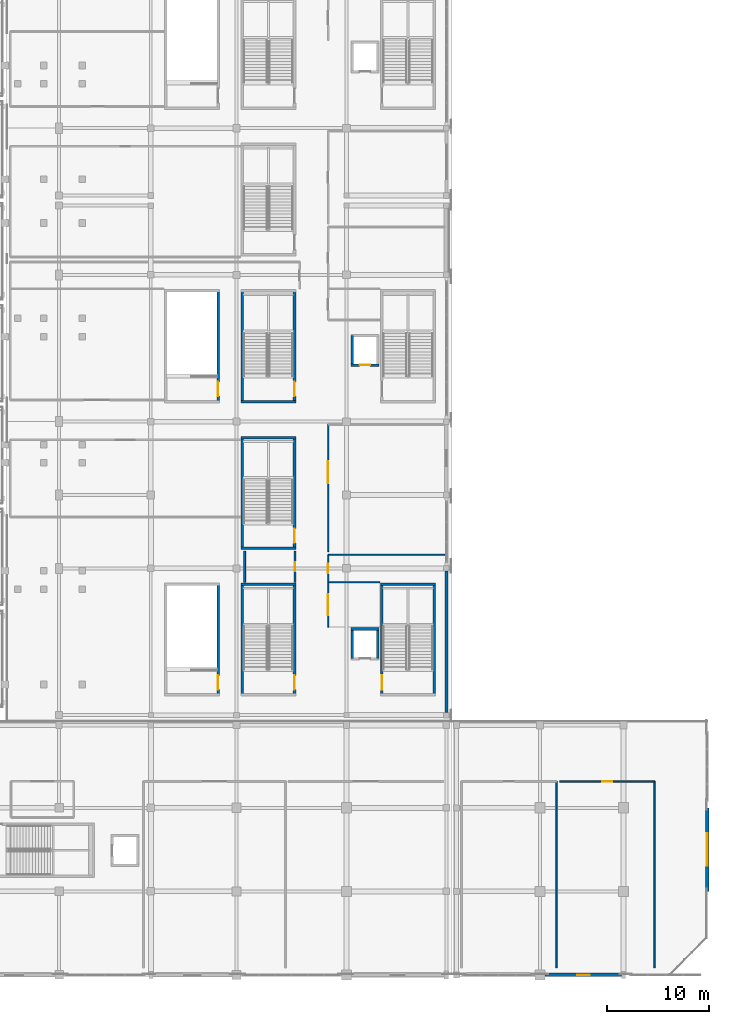
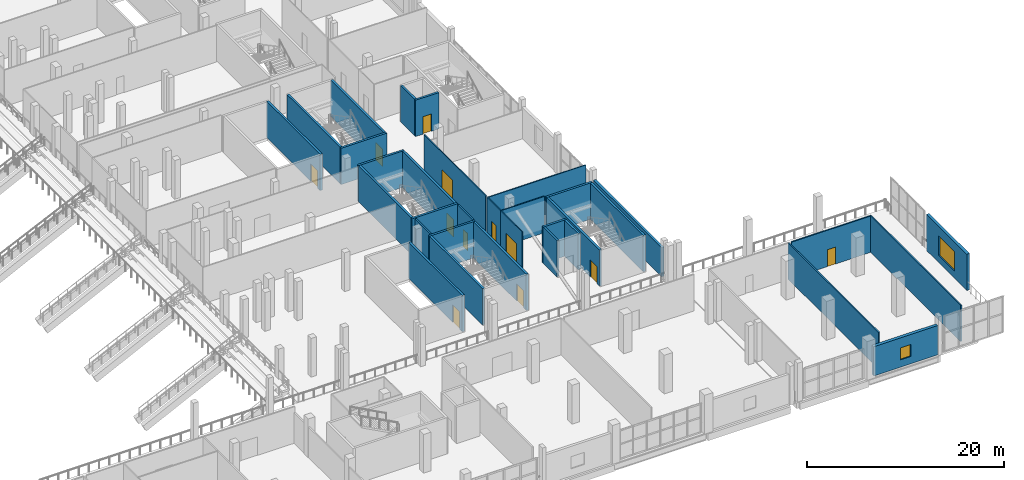
# One storey, part 80 of 129: 33 walls, 12 doors, 2 windows, 14 openings.
"""IFC4 building model written with IfcOpenShell, lengths in metres."""

from ifc_helpers import new_model, si_unit, direction, frame, frame_2d, origin, place, context, subcontext, project, spatial, rectangle, extrude, material, layer, layer_set, type_object, element, fill, save


model = new_model("IFC4")

# Units and contexts
model_context = context("Model", 3, precision=1e-05, world=origin(), true_north=direction((0.0, 1.0)))
body_context = subcontext(model_context, "Body", "Model", "MODEL_VIEW")
ifc_project = project(units=[si_unit("LENGTHUNIT", "METRE"), si_unit("AREAUNIT", "SQUARE_METRE"), si_unit("VOLUMEUNIT", "CUBIC_METRE"), si_unit("PLANEANGLEUNIT", "RADIAN"), si_unit("MASSUNIT", "GRAM", prefix="KILO")], contexts=[model_context])

# Site, building, storey
site_placement = place(None, origin())
site = spatial("IfcSite", under=ifc_project, at=site_placement, CompositionType="ELEMENT")
building_placement = place(site_placement, origin())
building = spatial("IfcBuilding", under=site, at=building_placement, Name="Koshinbarg Plaza Stadium", CompositionType="ELEMENT")
storey_placement = place(building_placement, frame((0.0, 0.0, 5.39990234375)))
storey = spatial("IfcBuildingStorey", under=building, at=storey_placement, Name="L01", CompositionType="ELEMENT", Elevation=5.39990234375)

# Wall
ifc_material_1 = material(Name="Concrete C40/50", Category="concrete")
ifc_layer_1 = layer(ifc_material_1, 0.25)
ifc_layer_set_1 = layer_set([ifc_layer_1], Name="Concrete C40/50")
wall_type_1 = type_object("IfcWallType", Name="WL-CORE-250", PredefinedType="SHEAR", material=ifc_layer_set_1)
wall_1_placement = place(storey_placement, frame((217.320068359375, 38.324951171875, 0.0), z_axis=(0.0, 0.0, 1.0), x_axis=(-1.0, 0.0, 0.0)))
element("IfcWall", 1, at=wall_1_placement, inside=storey, type_object=wall_type_1, Name="L01 core stair shear wall C07-far IWL-L01-0167", PredefinedType="SHEAR", context=body_context, shape_type="SweptSolid", body=[
    extrude(rectangle(XDim=5.3701171875, YDim=0.25, at=frame_2d((2.68505859375, 0.0))), origin(), (0.0, 0.0, 1.0), 4.5),
])

# Wall, opening, door
wall_2_placement = place(storey_placement, frame((212.074951171875, 27.47509765625, 0.0), z_axis=(0.0, 0.0, 1.0), x_axis=(0.0, 1.0, 0.0)))
wall_2 = element("IfcWall", 2, at=wall_2_placement, inside=storey, type_object=wall_type_1, Name="L01 core stair shear wall C07-left IWL-L01-0168", PredefinedType="SHEAR", context=body_context, shape_type="SweptSolid", body=[
    extrude(rectangle(XDim=10.849853515625, YDim=0.25, at=frame_2d((5.4248046875, 0.0))), origin(), (0.0, 0.0, 1.0), 4.5),
])
opening_1_placement = place(wall_2_placement, frame((0.52001953125, 0.0, 0.0)))
opening_1 = element("IfcOpeningElement", 3, at=opening_1_placement, cuts=wall_2, Name="Opening D-0104", PredefinedType="OPENING", context=body_context, shape_type="SweptSolid", body=[
    extrude(rectangle(XDim=1.39990234375, YDim=2.14990234375, at=frame_2d((0.699951171875, 1.074951171875))), frame((0.0, 0.135009765625, 0.0), z_axis=(0.0, -1.0, 0.0), x_axis=(1.0, 0.0, 0.0)), (0.0, 0.0, 1.0), 0.27001953125),
])
ifc_material_2 = material(Name="Painted galvanized steel fire door", Category="steel")
door_type_1 = type_object("IfcDoorType", Name="DR-STAIR-1400", OperationType="NOTDEFINED", PredefinedType="DOOR", material=ifc_material_2)
door_1_placement = place(opening_1_placement, frame((1.39990234375, 0.0, 0.0), z_axis=(0.0, 0.0, 1.0), x_axis=(-1.0, 0.0, 0.0)))
door_1 = element("IfcDoor", 4, at=door_1_placement, inside=storey, type_object=door_type_1, Name="L01 exit stair door C07", OperationType="SINGLE_SWING_LEFT", OverallHeight=2.14990234375, OverallWidth=1.39990234375, PredefinedType="DOOR", context=body_context, shape_type="SweptSolid", body=[
    extrude(rectangle(XDim=1.39990234375, YDim=2.14990234375, at=frame_2d((0.699951171875, 1.074951171875))), frame((0.0, 0.02490234375, 0.0), z_axis=(0.0, -1.0, 0.0), x_axis=(1.0, 0.0, 0.0)), (0.0, 0.0, 1.0), 0.050048828125),
])
fill(opening_1, door_1)

# Walls
wall_3_placement = place(storey_placement, frame((217.195068359375, 27.47509765625, 0.0), z_axis=(0.0, 0.0, 1.0), x_axis=(0.0, 1.0, 0.0)))
element("IfcWall", 5, at=wall_3_placement, inside=storey, type_object=wall_type_1, Name="L01 core stair shear wall C07-right IWL-L01-0169", PredefinedType="SHEAR", context=body_context, shape_type="SweptSolid", body=[
    extrude(rectangle(XDim=10.849853515625, YDim=0.25, at=frame_2d((5.4248046875, 0.0))), origin(), (0.0, 0.0, 1.0), 4.5),
])
wall_4_placement = place(storey_placement, frame((203.6201171875, 38.324951171875, 0.0), z_axis=(0.0, 0.0, 1.0), x_axis=(-1.0, 0.0, 0.0)))
element("IfcWall", 6, at=wall_4_placement, inside=storey, type_object=wall_type_1, Name="L01 vomitory stair shear wall VX07-far IWL-L01-0455", PredefinedType="SHEAR", context=body_context, shape_type="SweptSolid", body=[
    extrude(rectangle(XDim=5.3701171875, YDim=0.25, at=frame_2d((2.68505859375, 0.0))), origin(), (0.0, 0.0, 1.0), 4.5),
])
wall_5_placement = place(storey_placement, frame((198.375, 27.47509765625, 0.0), z_axis=(0.0, 0.0, 1.0), x_axis=(0.0, 1.0, 0.0)))
element("IfcWall", 7, at=wall_5_placement, inside=storey, type_object=wall_type_1, Name="L01 vomitory stair shear wall VX07-left IWL-L01-0456", PredefinedType="SHEAR", context=body_context, shape_type="SweptSolid", body=[
    extrude(rectangle(XDim=10.849853515625, YDim=0.25, at=frame_2d((5.4248046875, 0.0))), origin(), (0.0, 0.0, 1.0), 4.5),
])

# Wall, opening, door
wall_6_placement = place(storey_placement, frame((203.4951171875, 27.47509765625, 0.0), z_axis=(0.0, 0.0, 1.0), x_axis=(0.0, 1.0, 0.0)))
wall_6 = element("IfcWall", 8, at=wall_6_placement, inside=storey, type_object=wall_type_1, Name="L01 vomitory stair shear wall VX07-right IWL-L01-0457", PredefinedType="SHEAR", context=body_context, shape_type="SweptSolid", body=[
    extrude(rectangle(XDim=10.849853515625, YDim=0.25, at=frame_2d((5.4248046875, 0.0))), origin(), (0.0, 0.0, 1.0), 4.5),
])
opening_2_placement = place(wall_6_placement, frame((0.52001953125, 0.0, 0.0)))
opening_2 = element("IfcOpeningElement", 9, at=opening_2_placement, cuts=wall_6, Name="Opening D-0176", PredefinedType="OPENING", context=body_context, shape_type="SweptSolid", body=[
    extrude(rectangle(XDim=1.39990234375, YDim=2.14990234375, at=frame_2d((0.699951171875, 1.074951171875))), frame((0.0, 0.135009765625, 0.0), z_axis=(0.0, -1.0, 0.0), x_axis=(1.0, 0.0, 0.0)), (0.0, 0.0, 1.0), 0.27001953125),
])
door_2_placement = place(opening_2_placement, origin())
door_2 = element("IfcDoor", 10, at=door_2_placement, inside=storey, type_object=door_type_1, Name="L01 vomitory exit stair door VX07", OperationType="SINGLE_SWING_LEFT", OverallHeight=2.14990234375, OverallWidth=1.39990234375, PredefinedType="DOOR", context=body_context, shape_type="SweptSolid", body=[
    extrude(rectangle(XDim=1.39990234375, YDim=2.14990234375, at=frame_2d((0.699951171875, 1.074951171875))), frame((0.0, 0.02490234375, 0.0), z_axis=(0.0, -1.0, 0.0), x_axis=(1.0, 0.0, 0.0)), (0.0, 0.0, 1.0), 0.050048828125),
])
fill(opening_2, door_2)

# Walls
for number, where, z_axis, x_axis, name in (
    (11, (198.25, 41.875, 0.0), (0.0, 0.0, 1.0), (1.0, 0.0, 0.0), "L01 vomitory stair shear wall VX08-near IWL-L01-0470"),
    (12, (203.6201171875, 52.72509765625, 0.0), (0.0, 0.0, 1.0), (-1.0, 0.0, 0.0), "L01 vomitory stair shear wall VX08-far IWL-L01-0471"),
):
    element("IfcWall", number, at=place(storey_placement, frame(where, z_axis=z_axis, x_axis=x_axis)), inside=storey, type_object=wall_type_1, Name=name, PredefinedType="SHEAR", context=body_context, shape_type="SweptSolid", body=[
        extrude(rectangle(XDim=5.3701171875, YDim=0.25, at=frame_2d((2.68505859375, 0.0))), origin(), (0.0, 0.0, 1.0), 4.5),
    ])
wall_7_placement = place(storey_placement, frame((198.375, 41.875, 0.0), z_axis=(0.0, 0.0, 1.0), x_axis=(0.0, 1.0, 0.0)))
element("IfcWall", 13, at=wall_7_placement, inside=storey, type_object=wall_type_1, Name="L01 vomitory stair shear wall VX08-left IWL-L01-0472", PredefinedType="SHEAR", context=body_context, shape_type="SweptSolid", body=[
    extrude(rectangle(XDim=10.85009765625, YDim=0.25, at=frame_2d((5.425048828125, 0.0))), origin(), (0.0, 0.0, 1.0), 4.5),
])

# Wall, opening, door
wall_8_placement = place(storey_placement, frame((203.4951171875, 41.875, 0.0), z_axis=(0.0, 0.0, 1.0), x_axis=(0.0, 1.0, 0.0)))
wall_8 = element("IfcWall", 14, at=wall_8_placement, inside=storey, type_object=wall_type_1, Name="L01 vomitory stair shear wall VX08-right IWL-L01-0473", PredefinedType="SHEAR", context=body_context, shape_type="SweptSolid", body=[
    extrude(rectangle(XDim=10.85009765625, YDim=0.25, at=frame_2d((5.425048828125, 0.0))), origin(), (0.0, 0.0, 1.0), 4.5),
])
opening_3_placement = place(wall_8_placement, frame((0.52001953125, 0.0, 0.0)))
opening_3 = element("IfcOpeningElement", 15, at=opening_3_placement, cuts=wall_8, Name="Opening D-0180", PredefinedType="OPENING", context=body_context, shape_type="SweptSolid", body=[
    extrude(rectangle(XDim=1.39990234375, YDim=2.14990234375, at=frame_2d((0.699951171875, 1.074951171875))), frame((0.0, 0.135009765625, 0.0), z_axis=(0.0, -1.0, 0.0), x_axis=(1.0, 0.0, 0.0)), (0.0, 0.0, 1.0), 0.27001953125),
])
door_3_placement = place(opening_3_placement, origin())
door_3 = element("IfcDoor", 16, at=door_3_placement, inside=storey, type_object=door_type_1, Name="L01 vomitory exit stair door VX08", OperationType="SINGLE_SWING_RIGHT", OverallHeight=2.14990234375, OverallWidth=1.39990234375, PredefinedType="DOOR", context=body_context, shape_type="SweptSolid", body=[
    extrude(rectangle(XDim=1.39990234375, YDim=2.14990234375, at=frame_2d((0.699951171875, 1.074951171875))), frame((0.0, 0.02490234375, 0.0), z_axis=(0.0, -1.0, 0.0), x_axis=(1.0, 0.0, 0.0)), (0.0, 0.0, 1.0), 0.050048828125),
])
fill(opening_3, door_3)

# Walls
wall_9_placement = place(storey_placement, frame((198.25, 56.27490234375, 0.0), z_axis=(0.0, 0.0, 1.0), x_axis=(1.0, 0.0, 0.0)))
element("IfcWall", 17, at=wall_9_placement, inside=storey, type_object=wall_type_1, Name="L01 vomitory stair shear wall VX09-near IWL-L01-0486", PredefinedType="SHEAR", context=body_context, shape_type="SweptSolid", body=[
    extrude(rectangle(XDim=5.3701171875, YDim=0.25, at=frame_2d((2.68505859375, 0.0))), origin(), (0.0, 0.0, 1.0), 4.5),
])
wall_10_placement = place(storey_placement, frame((198.375, 56.27490234375, 0.0), z_axis=(0.0, 0.0, 1.0), x_axis=(0.0, 1.0, 0.0)))
element("IfcWall", 18, at=wall_10_placement, inside=storey, type_object=wall_type_1, Name="L01 vomitory stair shear wall VX09-left IWL-L01-0488", PredefinedType="SHEAR", context=body_context, shape_type="SweptSolid", body=[
    extrude(rectangle(XDim=10.85009765625, YDim=0.25, at=frame_2d((5.425048828125, 0.0))), origin(), (0.0, 0.0, 1.0), 4.5),
])

# Wall, opening, door
wall_11_placement = place(storey_placement, frame((203.4951171875, 56.27490234375, 0.0), z_axis=(0.0, 0.0, 1.0), x_axis=(0.0, 1.0, 0.0)))
wall_11 = element("IfcWall", 19, at=wall_11_placement, inside=storey, type_object=wall_type_1, Name="L01 vomitory stair shear wall VX09-right IWL-L01-0489", PredefinedType="SHEAR", context=body_context, shape_type="SweptSolid", body=[
    extrude(rectangle(XDim=10.85009765625, YDim=0.25, at=frame_2d((5.425048828125, 0.0))), origin(), (0.0, 0.0, 1.0), 4.5),
])
opening_4_placement = place(wall_11_placement, frame((0.52001953125, 0.0, 0.0)))
opening_4 = element("IfcOpeningElement", 20, at=opening_4_placement, cuts=wall_11, Name="Opening D-0184", PredefinedType="OPENING", context=body_context, shape_type="SweptSolid", body=[
    extrude(rectangle(XDim=1.39990234375, YDim=2.14990234375, at=frame_2d((0.699951171875, 1.074951171875))), frame((0.0, 0.135009765625, 0.0), z_axis=(0.0, -1.0, 0.0), x_axis=(1.0, 0.0, 0.0)), (0.0, 0.0, 1.0), 0.27001953125),
])
door_4_placement = place(opening_4_placement, origin())
door_4 = element("IfcDoor", 21, at=door_4_placement, inside=storey, type_object=door_type_1, Name="L01 vomitory exit stair door VX09", OperationType="SINGLE_SWING_LEFT", OverallHeight=2.14990234375, OverallWidth=1.39990234375, PredefinedType="DOOR", context=body_context, shape_type="SweptSolid", body=[
    extrude(rectangle(XDim=1.39990234375, YDim=2.14990234375, at=frame_2d((0.699951171875, 1.074951171875))), frame((0.0, 0.02490234375, 0.0), z_axis=(0.0, -1.0, 0.0), x_axis=(1.0, 0.0, 0.0)), (0.0, 0.0, 1.0), 0.050048828125),
])
fill(opening_4, door_4)

wall_12_placement = place(storey_placement, frame((195.9951171875, 27.47509765625, 0.0), z_axis=(0.0, 0.0, 1.0), x_axis=(0.0, 1.0, 0.0)))
wall_12 = element("IfcWall", 22, at=wall_12_placement, inside=storey, type_object=wall_type_1, Name="L01 vomitory stair shear wall VL05-right IWL-L01-0585", PredefinedType="SHEAR", context=body_context, shape_type="SweptSolid", body=[
    extrude(rectangle(XDim=10.849853515625, YDim=0.25, at=frame_2d((5.4248046875, 0.0))), origin(), (0.0, 0.0, 1.0), 4.5),
])
opening_5_placement = place(wall_12_placement, frame((0.52001953125, 0.0, 0.0)))
opening_5 = element("IfcOpeningElement", 23, at=opening_5_placement, cuts=wall_12, Name="Opening D-0208", PredefinedType="OPENING", context=body_context, shape_type="SweptSolid", body=[
    extrude(rectangle(XDim=1.39990234375, YDim=2.14990234375, at=frame_2d((0.699951171875, 1.074951171875))), frame((0.0, 0.135009765625, 0.0), z_axis=(0.0, -1.0, 0.0), x_axis=(1.0, 0.0, 0.0)), (0.0, 0.0, 1.0), 0.27001953125),
])
door_5_placement = place(opening_5_placement, origin())
door_5 = element("IfcDoor", 24, at=door_5_placement, inside=storey, type_object=door_type_1, Name="L01 vomitory exit stair door VL05", OperationType="SINGLE_SWING_LEFT", OverallHeight=2.14990234375, OverallWidth=1.39990234375, PredefinedType="DOOR", context=body_context, shape_type="SweptSolid", body=[
    extrude(rectangle(XDim=1.39990234375, YDim=2.14990234375, at=frame_2d((0.699951171875, 1.074951171875))), frame((0.0, 0.02490234375, 0.0), z_axis=(0.0, -1.0, 0.0), x_axis=(1.0, 0.0, 0.0)), (0.0, 0.0, 1.0), 0.050048828125),
])
fill(opening_5, door_5)

wall_13_placement = place(storey_placement, frame((195.9951171875, 56.27490234375, 0.0), z_axis=(0.0, 0.0, 1.0), x_axis=(0.0, 1.0, 0.0)))
wall_13 = element("IfcWall", 25, at=wall_13_placement, inside=storey, type_object=wall_type_1, Name="L01 vomitory stair shear wall VL06-right IWL-L01-0593", PredefinedType="SHEAR", context=body_context, shape_type="SweptSolid", body=[
    extrude(rectangle(XDim=10.85009765625, YDim=0.25, at=frame_2d((5.425048828125, 0.0))), origin(), (0.0, 0.0, 1.0), 4.5),
])
opening_6_placement = place(wall_13_placement, frame((0.52001953125, 0.0, 0.0)))
opening_6 = element("IfcOpeningElement", 26, at=opening_6_placement, cuts=wall_13, Name="Opening D-0210", PredefinedType="OPENING", context=body_context, shape_type="SweptSolid", body=[
    extrude(rectangle(XDim=1.39990234375, YDim=2.14990234375, at=frame_2d((0.699951171875, 1.074951171875))), frame((0.0, 0.135009765625, 0.0), z_axis=(0.0, -1.0, 0.0), x_axis=(1.0, 0.0, 0.0)), (0.0, 0.0, 1.0), 0.27001953125),
])
door_6_placement = place(opening_6_placement, origin())
door_6 = element("IfcDoor", 27, at=door_6_placement, inside=storey, type_object=door_type_1, Name="L01 vomitory exit stair door VL06", OperationType="SINGLE_SWING_RIGHT", OverallHeight=2.14990234375, OverallWidth=1.39990234375, PredefinedType="DOOR", context=body_context, shape_type="SweptSolid", body=[
    extrude(rectangle(XDim=1.39990234375, YDim=2.14990234375, at=frame_2d((0.699951171875, 1.074951171875))), frame((0.0, 0.02490234375, 0.0), z_axis=(0.0, -1.0, 0.0), x_axis=(1.0, 0.0, 0.0)), (0.0, 0.0, 1.0), 0.050048828125),
])
fill(opening_6, door_6)

# Walls
wall_14_placement = place(storey_placement, frame((211.77490234375, 33.949951171875, 0.0), z_axis=(0.0, 0.0, 1.0), x_axis=(-1.0, 0.0, 0.0)))
element("IfcWall", 28, at=wall_14_placement, inside=storey, type_object=wall_type_1, Name="L01 lift shaft shear wall LP03-N IWL-L01-0867", PredefinedType="SHEAR", context=body_context, shape_type="SweptSolid", body=[
    extrude(rectangle(XDim=2.75, YDim=0.25, at=frame_2d((1.375, 0.0))), origin(), (0.0, 0.0, 1.0), 4.5),
])
for number, where, z_axis, x_axis, name in (
    (29, (209.14990234375, 33.949951171875, 0.0), (0.0, 0.0, 1.0), (0.0, -1.0, 0.0), "L01 lift shaft shear wall LP03-W IWL-L01-0868"),
    (30, (211.64990234375, 31.050048828125, 0.0), (0.0, 0.0, 1.0), (0.0, 1.0, 0.0), "L01 lift shaft shear wall LP03-E IWL-L01-0869"),
):
    element("IfcWall", number, at=place(storey_placement, frame(where, z_axis=z_axis, x_axis=x_axis)), inside=storey, type_object=wall_type_1, Name=name, PredefinedType="SHEAR", context=body_context, shape_type="SweptSolid", body=[
        extrude(rectangle(XDim=2.89990234375, YDim=0.25, at=frame_2d((1.449951171875, 0.0))), origin(), (0.0, 0.0, 1.0), 4.5),
    ])

# Wall, opening, door
wall_15_placement = place(storey_placement, frame((209.02490234375, 59.85009765625, 0.0), z_axis=(0.0, 0.0, 1.0), x_axis=(1.0, 0.0, 0.0)))
wall_15 = element("IfcWall", 31, at=wall_15_placement, inside=storey, type_object=wall_type_1, Name="L01 lift shaft shear wall LP04-S IWL-L01-0890", PredefinedType="SHEAR", context=body_context, shape_type="SweptSolid", body=[
    extrude(rectangle(XDim=2.75, YDim=0.25, at=frame_2d((1.375, 0.0))), origin(), (0.0, 0.0, 1.0), 4.5),
])
opening_7_placement = place(wall_15_placement, frame((0.85009765625, 0.0, 0.0)))
opening_7 = element("IfcOpeningElement", 32, at=opening_7_placement, cuts=wall_15, Name="Opening D-0292", PredefinedType="OPENING", context=body_context, shape_type="SweptSolid", body=[
    extrude(rectangle(XDim=1.050048828125, YDim=2.14990234375, at=frame_2d((0.52490234375, 1.074951171875))), frame((0.0, 0.135009765625, 0.0), z_axis=(0.0, -1.0, 0.0), x_axis=(1.0, 0.0, 0.0)), (0.0, 0.0, 1.0), 0.27001953125),
])
ifc_material_3 = material(Name="Brushed stainless steel sliding lift landing door", Category="steel")
door_type_2 = type_object("IfcDoorType", Name="DR-LIFT-1050", OperationType="NOTDEFINED", PredefinedType="DOOR", material=ifc_material_3)
door_7_placement = place(opening_7_placement, origin())
door_7 = element("IfcDoor", 33, at=door_7_placement, inside=storey, type_object=door_type_2, Name="L01 lift landing door LP04", OperationType="SLIDING_TO_LEFT", OverallHeight=2.14990234375, OverallWidth=1.050048828125, PredefinedType="DOOR", context=body_context, shape_type="SweptSolid", body=[
    extrude(rectangle(XDim=1.050048828125, YDim=2.14990234375, at=frame_2d((0.52490234375, 1.074951171875))), frame((0.0, 0.02490234375, 0.0), z_axis=(0.0, -1.0, 0.0), x_axis=(1.0, 0.0, 0.0)), (0.0, 0.0, 1.0), 0.050048828125),
])
fill(opening_7, door_7)

# Walls
wall_16_placement = place(storey_placement, frame((209.14990234375, 62.75, 0.0), z_axis=(0.0, 0.0, 1.0), x_axis=(0.0, -1.0, 0.0)))
element("IfcWall", 34, at=wall_16_placement, inside=storey, type_object=wall_type_1, Name="L01 lift shaft shear wall LP04-W IWL-L01-0892", PredefinedType="SHEAR", context=body_context, shape_type="SweptSolid", body=[
    extrude(rectangle(XDim=2.89990234375, YDim=0.25, at=frame_2d((1.449951171875, 0.0))), origin(), (0.0, 0.0, 1.0), 4.5),
])
ifc_material_4 = material(Name="Terracotta-ochre mineral plaster insulated wall", Category="masonry")
ifc_layer_2 = layer(ifc_material_4, 0.280029296875)
ifc_layer_set_2 = layer_set([ifc_layer_2], Name="Terracotta-ochre mineral plaster insulated wall")
wall_type_2 = type_object("IfcWallType", Name="WL-EXT-280", PredefinedType="SOLIDWALL", material=ifc_layer_set_2)
wall_17_placement = place(storey_placement, frame((218.39990234375, 39.6298828125, 0.0), z_axis=(0.0, 0.0, 1.0), x_axis=(0.0, -1.0, 0.0)))
element("IfcWall", 35, at=wall_17_placement, inside=storey, type_object=wall_type_2, Name="L01 exterior envelope wall EWL-L01-0096", PredefinedType="SOLIDWALL", context=body_context, shape_type="SweptSolid", body=[
    extrude(rectangle(XDim=13.85986328125, YDim=0.280029296875, at=frame_2d((6.929931640625, 0.0))), origin(), (0.0, 0.0, 1.0), 3.580078125),
])

# Wall, opening, window
ifc_material_5 = material(Name="Ultramarine-blue pigmented mineral plaster facade wall", Category="masonry")
ifc_layer_3 = layer(ifc_material_5, 0.320068359375)
ifc_layer_set_3 = layer_set([ifc_layer_3], Name="Ultramarine-blue pigmented mineral plaster facade wall")
wall_type_3 = type_object("IfcWallType", Name="WL-EXT-320", PredefinedType="SOLIDWALL", material=ifc_layer_set_3)
wall_18_placement = place(storey_placement, frame((244.0, 16.39990234375, 0.0), z_axis=(0.0, 0.0, 1.0), x_axis=(0.0, -1.0, 0.0)))
wall_18 = element("IfcWall", 36, at=wall_18_placement, inside=storey, type_object=wall_type_3, Name="L01 exterior envelope wall EWL-L01-0098", PredefinedType="SOLIDWALL", context=body_context, shape_type="SweptSolid", body=[
    extrude(rectangle(XDim=8.199951171875, YDim=0.320068359375, at=frame_2d((4.10009765625, 0.0))), origin(), (0.0, 0.0, 1.0), 4.47998046875),
])
opening_8_placement = place(wall_18_placement, frame((2.5, 0.0, 0.89990234375)))
opening_8 = element("IfcOpeningElement", 37, at=opening_8_placement, cuts=wall_18, Name="Opening WN22", PredefinedType="OPENING", context=body_context, shape_type="SweptSolid", body=[
    extrude(rectangle(XDim=3.199951171875, YDim=2.39990234375, at=frame_2d((1.60009765625, 1.199951171875))), frame((0.0, 0.169921875, 0.0), z_axis=(0.0, -1.0, 0.0), x_axis=(1.0, 0.0, 0.0)), (0.0, 0.0, 1.0), 0.340087890625),
])
ifc_material_6 = material(Name="Solar-control double glazing in thermally broken aluminium frame", Category="aluminium")
window_type_1 = type_object("IfcWindowType", Name="WN-FAC-22", PartitioningType="DOUBLE_PANEL_VERTICAL", PredefinedType="WINDOW", material=ifc_material_6)
window_1_placement = place(opening_8_placement, origin())
window_1 = element("IfcWindow", 38, at=window_1_placement, inside=storey, type_object=window_type_1, Name="L01 facade window 0038", OverallHeight=2.39990234375, OverallWidth=3.199951171875, PartitioningType="SINGLE_PANEL", PredefinedType="WINDOW", context=body_context, shape_type="SweptSolid", body=[
    extrude(rectangle(XDim=3.199951171875, YDim=2.39990234375, at=frame_2d((1.60009765625, 1.199951171875))), frame((0.0, 0.030029296875, 0.0), z_axis=(0.0, -1.0, 0.0), x_axis=(1.0, 0.0, 0.0)), (0.0, 0.0, 1.0), 0.06005859375),
])
fill(opening_8, window_1)

ifc_material_7 = material(Name="Acoustic insulated masonry stadium wall", Category="masonry")
ifc_layer_4 = layer(ifc_material_7, 0.35009765625)
ifc_layer_set_4 = layer_set([ifc_layer_4], Name="Acoustic insulated masonry stadium wall")
wall_type_4 = type_object("IfcWallType", Name="WL-EXT-350", PredefinedType="SOLIDWALL", material=ifc_layer_set_4)
wall_19_placement = place(storey_placement, frame((235.60498046875, 0.0, 0.0), z_axis=(0.0, 0.0, 1.0), x_axis=(-1.0, 0.0, 0.0)))
wall_19 = element("IfcWall", 39, at=wall_19_placement, inside=storey, type_object=wall_type_4, Name="L01 exterior envelope wall EWL-L01-0099", PredefinedType="SOLIDWALL", context=body_context, shape_type="SweptSolid", body=[
    extrude(rectangle(XDim=7.510009765625, YDim=0.35009765625, at=frame_2d((3.7548828125, 0.0))), origin(), (0.0, 0.0, 1.0), 3.630126953125),
])
opening_9_placement = place(wall_19_placement, frame((3.155029296875, 0.0, 0.89990234375)))
opening_9 = element("IfcOpeningElement", 40, at=opening_9_placement, cuts=wall_19, Name="Opening WN01", PredefinedType="OPENING", context=body_context, shape_type="SweptSolid", body=[
    extrude(rectangle(XDim=1.199951171875, YDim=1.5, at=frame_2d((0.60009765625, 0.75))), frame((0.0, 0.18505859375, 0.0), z_axis=(0.0, -1.0, 0.0), x_axis=(1.0, 0.0, 0.0)), (0.0, 0.0, 1.0), 0.3701171875),
])
window_type_2 = type_object("IfcWindowType", Name="WN-FAC-01", PartitioningType="DOUBLE_PANEL_VERTICAL", PredefinedType="WINDOW", material=ifc_material_6)
window_2_placement = place(opening_9_placement, origin())
window_2 = element("IfcWindow", 41, at=window_2_placement, inside=storey, type_object=window_type_2, Name="L01 facade window 0039", OverallHeight=1.5, OverallWidth=1.199951171875, PartitioningType="SINGLE_PANEL", PredefinedType="WINDOW", context=body_context, shape_type="SweptSolid", body=[
    extrude(rectangle(XDim=1.199951171875, YDim=1.5, at=frame_2d((0.60009765625, 0.75))), frame((0.0, 0.030029296875, 0.0), z_axis=(0.0, -1.0, 0.0), x_axis=(1.0, 0.0, 0.0)), (0.0, 0.0, 1.0), 0.06005859375),
])
fill(opening_9, window_2)

# Wall
ifc_material_8 = material(Name="Gypsum board metal-stud acoustic partition")
ifc_layer_5 = layer(ifc_material_8, 0.1201171875)
ifc_layer_set_5 = layer_set([ifc_layer_5], Name="Gypsum board metal-stud acoustic partition")
wall_type_5 = type_object("IfcWallType", Name="WL-PART-120", PredefinedType="PARTITIONING", material=ifc_layer_set_5)
wall_20_placement = place(storey_placement, frame((218.2548828125, 41.234375, 0.0), z_axis=(0.0, 0.0, 1.0), x_axis=(-1.0, 0.0, 0.0)))
element("IfcWall", 42, at=wall_20_placement, inside=storey, type_object=wall_type_5, Name="L01 interior partition L01-99-north IWL-L01-1403", PredefinedType="PARTITIONING", context=body_context, shape_type="SweptSolid", body=[
    extrude(rectangle(XDim=11.454833984375, YDim=0.1201171875, at=frame_2d((5.7275390625, 0.0))), origin(), (0.0, 0.0, 1.0), 4.5),
])

# Wall, opening, door
wall_21_placement = place(storey_placement, frame((206.800048828125, 41.234375, 0.0), z_axis=(0.0, 0.0, 1.0), x_axis=(0.0, -1.0, 0.0)))
wall_21 = element("IfcWall", 43, at=wall_21_placement, inside=storey, type_object=wall_type_5, Name="L01 interior partition L01-99-west IWL-L01-1404", PredefinedType="PARTITIONING", context=body_context, shape_type="SweptSolid", body=[
    extrude(rectangle(XDim=2.704345703125, YDim=0.1201171875, at=frame_2d((1.35205078125, 0.0))), origin(), (0.0, 0.0, 1.0), 4.5),
])
opening_10_placement = place(wall_21_placement, frame((0.89208984375, 0.0, 0.0)))
opening_10 = element("IfcOpeningElement", 44, at=opening_10_placement, cuts=wall_21, Name="Opening D-0465", PredefinedType="OPENING", context=body_context, shape_type="SweptSolid", body=[
    extrude(rectangle(XDim=0.919921875, YDim=2.10009765625, at=frame_2d((0.4599609375, 1.050048828125))), frame((0.0, 0.070068359375, 0.0), z_axis=(0.0, -1.0, 0.0), x_axis=(1.0, 0.0, 0.0)), (0.0, 0.0, 1.0), 0.14013671875),
])
ifc_material_9 = material(Name="Solid-core oak veneer acoustic door")
door_type_3 = type_object("IfcDoorType", Name="DR-INT-0920x2100", OperationType="NOTDEFINED", PredefinedType="DOOR", material=ifc_material_9)
door_8_placement = place(opening_10_placement, origin())
door_8 = element("IfcDoor", 45, at=door_8_placement, inside=storey, type_object=door_type_3, Name="L01 East Concourse Dining Hall door D-0465", OperationType="SINGLE_SWING_LEFT", OverallHeight=2.10009765625, OverallWidth=0.919921875, PredefinedType="DOOR", context=body_context, shape_type="SweptSolid", body=[
    extrude(rectangle(XDim=0.919921875, YDim=2.10009765625, at=frame_2d((0.4599609375, 1.050048828125))), frame((0.0, 0.02490234375, 0.0), z_axis=(0.0, -1.0, 0.0), x_axis=(1.0, 0.0, 0.0)), (0.0, 0.0, 1.0), 0.050048828125),
])
fill(opening_10, door_8)

# Wall
wall_22_placement = place(storey_placement, frame((211.8701171875, 38.530029296875, 0.0), z_axis=(0.0, 0.0, 1.0), x_axis=(-1.0, 0.0, 0.0)))
element("IfcWall", 46, at=wall_22_placement, inside=storey, type_object=wall_type_5, Name="L01 interior partition L01-100-north IWL-L01-1405", PredefinedType="PARTITIONING", context=body_context, shape_type="SweptSolid", body=[
    extrude(rectangle(XDim=5.070068359375, YDim=0.1201171875, at=frame_2d((2.53515625, 0.0))), origin(), (0.0, 0.0, 1.0), 4.5),
])

# Wall, opening, door
wall_23_placement = place(storey_placement, frame((206.800048828125, 38.530029296875, 0.0), z_axis=(0.0, 0.0, 1.0), x_axis=(0.0, -1.0, 0.0)))
wall_23 = element("IfcWall", 47, at=wall_23_placement, inside=storey, type_object=wall_type_5, Name="L01 interior partition L01-100-west IWL-L01-1406", PredefinedType="PARTITIONING", context=body_context, shape_type="SweptSolid", body=[
    extrude(rectangle(XDim=4.400146484375, YDim=0.1201171875, at=frame_2d((2.2001953125, 0.0))), origin(), (0.0, 0.0, 1.0), 4.5),
])
opening_11_placement = place(wall_23_placement, frame((1.159912109375, 0.0, 0.0)))
opening_11 = element("IfcOpeningElement", 48, at=opening_11_placement, cuts=wall_23, Name="Opening D-0466", PredefinedType="OPENING", context=body_context, shape_type="SweptSolid", body=[
    extrude(rectangle(XDim=2.080078125, YDim=2.35009765625, at=frame_2d((1.0400390625, 1.175048828125))), frame((0.0, 0.070068359375, 0.0), z_axis=(0.0, -1.0, 0.0), x_axis=(1.0, 0.0, 0.0)), (0.0, 0.0, 1.0), 0.14013671875),
])
ifc_material_10 = material(Name="Laminated safety glass aluminium vestibule door", Category="aluminium")
door_type_4 = type_object("IfcDoorType", Name="DR-INT-2080x2350", OperationType="NOTDEFINED", PredefinedType="DOOR", material=ifc_material_10)
door_9_placement = place(opening_11_placement, origin())
door_9 = element("IfcDoor", 49, at=door_9_placement, inside=storey, type_object=door_type_4, Name="L01 Family Supporters' Lounge door D-0466", OperationType="DOUBLE_DOOR_SINGLE_SWING", OverallHeight=2.35009765625, OverallWidth=2.080078125, PredefinedType="DOOR", context=body_context, shape_type="SweptSolid", body=[
    extrude(rectangle(XDim=2.080078125, YDim=2.35009765625, at=frame_2d((1.0400390625, 1.175048828125))), frame((0.0, 0.02490234375, 0.0), z_axis=(0.0, -1.0, 0.0), x_axis=(1.0, 0.0, 0.0)), (0.0, 0.0, 1.0), 0.050048828125),
])
fill(opening_11, door_9)

wall_24_placement = place(storey_placement, frame((206.800048828125, 54.030029296875, 0.0), z_axis=(0.0, 0.0, 1.0), x_axis=(0.0, -1.0, 0.0)))
wall_24 = element("IfcWall", 50, at=wall_24_placement, inside=storey, type_object=wall_type_5, Name="L01 interior partition L01-101-west IWL-L01-1408", PredefinedType="PARTITIONING", context=body_context, shape_type="SweptSolid", body=[
    extrude(rectangle(XDim=12.495849609375, YDim=0.1201171875, at=frame_2d((6.248046875, 0.0))), origin(), (0.0, 0.0, 1.0), 4.5),
])
opening_12_placement = place(wall_24_placement, frame((3.626220703125, 0.0, 0.0)))
opening_12 = element("IfcOpeningElement", 51, at=opening_12_placement, cuts=wall_24, Name="Opening D-0467", PredefinedType="OPENING", context=body_context, shape_type="SweptSolid", body=[
    extrude(rectangle(XDim=2.159912109375, YDim=2.35009765625, at=frame_2d((1.080078125, 1.175048828125))), frame((0.0, 0.070068359375, 0.0), z_axis=(0.0, -1.0, 0.0), x_axis=(1.0, 0.0, 0.0)), (0.0, 0.0, 1.0), 0.14013671875),
])
ifc_material_11 = material(Name="Galvanized painted steel double leaf door", Category="steel")
door_type_5 = type_object("IfcDoorType", Name="DR-INT-2160x2350", OperationType="NOTDEFINED", PredefinedType="DOOR", material=ifc_material_11)
door_10_placement = place(opening_12_placement, origin())
door_10 = element("IfcDoor", 52, at=door_10_placement, inside=storey, type_object=door_type_5, Name="L01 Family Supporters' Lounge door D-0467", OperationType="DOUBLE_DOOR_SINGLE_SWING", OverallHeight=2.35009765625, OverallWidth=2.159912109375, PredefinedType="DOOR", context=body_context, shape_type="SweptSolid", body=[
    extrude(rectangle(XDim=2.159912109375, YDim=2.35009765625, at=frame_2d((1.080078125, 1.175048828125))), frame((0.0, 0.02490234375, 0.0), z_axis=(0.0, -1.0, 0.0), x_axis=(1.0, 0.0, 0.0)), (0.0, 0.0, 1.0), 0.050048828125),
])
fill(opening_12, door_10)

# Walls
ifc_material_12 = material(Name="Double-layer gypsum acoustic suite partition")
ifc_layer_6 = layer(ifc_material_12, 0.14990234375)
ifc_layer_set_6 = layer_set([ifc_layer_6], Name="Double-layer gypsum acoustic suite partition")
wall_type_6 = type_object("IfcWallType", Name="WL-PART-150", PredefinedType="PARTITIONING", material=ifc_layer_set_6)
for number, where, z_axis, x_axis, name in (
    (53, (229.222412109375, 0.699951171875, 0.0), (0.0, 0.0, 1.0), (0.0, 1.0, 0.0), "L01 interior partition L01-155-east IWL-L01-1556"),
    (54, (238.85009765625, 0.699951171875, 0.0), (0.0, 0.0, 1.0), (0.0, 1.0, 0.0), "L01 interior partition L01-156-east IWL-L01-1559"),
):
    element("IfcWall", number, at=place(storey_placement, frame(where, z_axis=z_axis, x_axis=x_axis)), inside=storey, type_object=wall_type_6, Name=name, PredefinedType="PARTITIONING", context=body_context, shape_type="SweptSolid", body=[
        extrude(rectangle(XDim=18.300048828125, YDim=0.14990234375, at=frame_2d((9.14990234375, 0.0))), origin(), (0.0, 0.0, 1.0), 4.5),
    ])

# Wall, opening, door
wall_25_placement = place(storey_placement, frame((238.85009765625, 19.0, 0.0), z_axis=(0.0, 0.0, 1.0), x_axis=(-1.0, 0.0, 0.0)))
wall_25 = element("IfcWall", 55, at=wall_25_placement, inside=storey, type_object=wall_type_6, Name="L01 interior partition L01-156-north IWL-L01-1560", PredefinedType="PARTITIONING", context=body_context, shape_type="SweptSolid", body=[
    extrude(rectangle(XDim=9.32763671875, YDim=0.14990234375, at=frame_2d((4.663818359375, 0.0))), origin(), (0.0, 0.0, 1.0), 4.5),
])
opening_13_placement = place(wall_25_placement, frame((4.18359375, 0.0, 0.0)))
opening_13 = element("IfcOpeningElement", 56, at=opening_13_placement, cuts=wall_25, Name="Opening D-0522", PredefinedType="OPENING", context=body_context, shape_type="SweptSolid", body=[
    extrude(rectangle(XDim=0.9599609375, YDim=2.10009765625, at=frame_2d((0.47998046875, 1.050048828125))), frame((0.0, 0.0849609375, 0.0), z_axis=(0.0, -1.0, 0.0), x_axis=(1.0, 0.0, 0.0)), (0.0, 0.0, 1.0), 0.169921875),
])
door_type_6 = type_object("IfcDoorType", Name="DR-INT-0960x2100", OperationType="NOTDEFINED", PredefinedType="DOOR", material=ifc_material_9)
door_11_placement = place(opening_13_placement, origin())
door_11 = element("IfcDoor", 57, at=door_11_placement, inside=storey, type_object=door_type_6, Name="L01 Athlete Recovery Lounge door D-0522", OperationType="SINGLE_SWING_RIGHT", OverallHeight=2.10009765625, OverallWidth=0.9599609375, PredefinedType="DOOR", context=body_context, shape_type="SweptSolid", body=[
    extrude(rectangle(XDim=0.9599609375, YDim=2.10009765625, at=frame_2d((0.47998046875, 1.050048828125))), frame((0.0, 0.02490234375, 0.0), z_axis=(0.0, -1.0, 0.0), x_axis=(1.0, 0.0, 0.0)), (0.0, 0.0, 1.0), 0.050048828125),
])
fill(opening_13, door_11)

ifc_material_13 = material(Name="Moisture-resistant tiled sanitary partition")
ifc_layer_7 = layer(ifc_material_13, 0.179931640625)
ifc_layer_set_7 = layer_set([ifc_layer_7], Name="Moisture-resistant tiled sanitary partition")
wall_type_7 = type_object("IfcWallType", Name="WL-PART-180", PredefinedType="PARTITIONING", material=ifc_layer_set_7)
wall_26_placement = place(storey_placement, frame((203.550048828125, 38.530029296875, 0.0), z_axis=(0.0, 0.0, 1.0), x_axis=(0.0, 1.0, 0.0)))
wall_26 = element("IfcWall", 58, at=wall_26_placement, inside=storey, type_object=wall_type_7, Name="L01 interior partition L01-73-east IWL-L01-1343", PredefinedType="PARTITIONING", context=body_context, shape_type="SweptSolid", body=[
    extrude(rectangle(XDim=3.070068359375, YDim=0.179931640625, at=frame_2d((1.53515625, 0.0))), origin(), (0.0, 0.0, 1.0), 4.5),
])
opening_14_placement = place(wall_26_placement, frame((1.074951171875, 0.0, 0.0)))
opening_14 = element("IfcOpeningElement", 59, at=opening_14_placement, cuts=wall_26, Name="Opening D-0441", PredefinedType="OPENING", context=body_context, shape_type="SweptSolid", body=[
    extrude(rectangle(XDim=0.919921875, YDim=2.10009765625, at=frame_2d((0.4599609375, 1.050048828125))), frame((0.0, 0.099853515625, 0.0), z_axis=(0.0, -1.0, 0.0), x_axis=(1.0, 0.0, 0.0)), (0.0, 0.0, 1.0), 0.199951171875),
])
door_12_placement = place(opening_14_placement, origin())
door_12 = element("IfcDoor", 60, at=door_12_placement, inside=storey, type_object=door_type_3, Name="L01 Public Restroom 2 door D-0441", OperationType="SINGLE_SWING_LEFT", OverallHeight=2.10009765625, OverallWidth=0.919921875, PredefinedType="DOOR", context=body_context, shape_type="SweptSolid", body=[
    extrude(rectangle(XDim=0.919921875, YDim=2.10009765625, at=frame_2d((0.4599609375, 1.050048828125))), frame((0.0, 0.02490234375, 0.0), z_axis=(0.0, -1.0, 0.0), x_axis=(1.0, 0.0, 0.0)), (0.0, 0.0, 1.0), 0.050048828125),
])
fill(opening_14, door_12)

# Wall
wall_27_placement = place(storey_placement, frame((198.60009765625, 41.60009765625, 0.0), z_axis=(0.0, 0.0, 1.0), x_axis=(0.0, -1.0, 0.0)))
element("IfcWall", 61, at=wall_27_placement, inside=storey, type_object=wall_type_7, Name="L01 interior partition L01-73-west IWL-L01-1344", PredefinedType="PARTITIONING", context=body_context, shape_type="SweptSolid", body=[
    extrude(rectangle(XDim=3.070068359375, YDim=0.179931640625, at=frame_2d((1.53515625, 0.0))), origin(), (0.0, 0.0, 1.0), 4.5),
])

save(model, "model.ifc")
